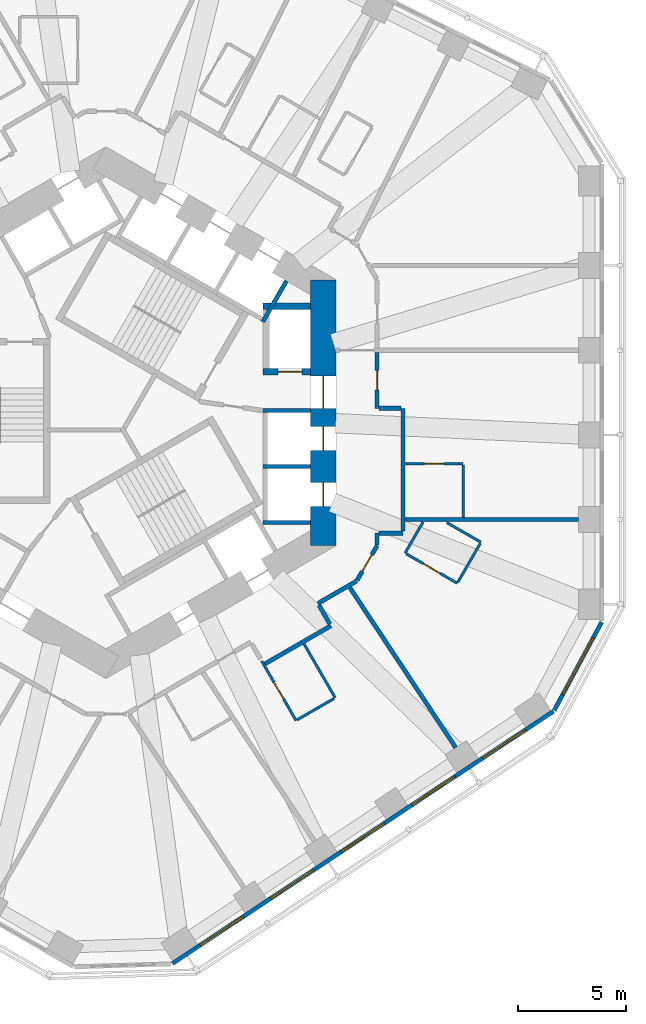
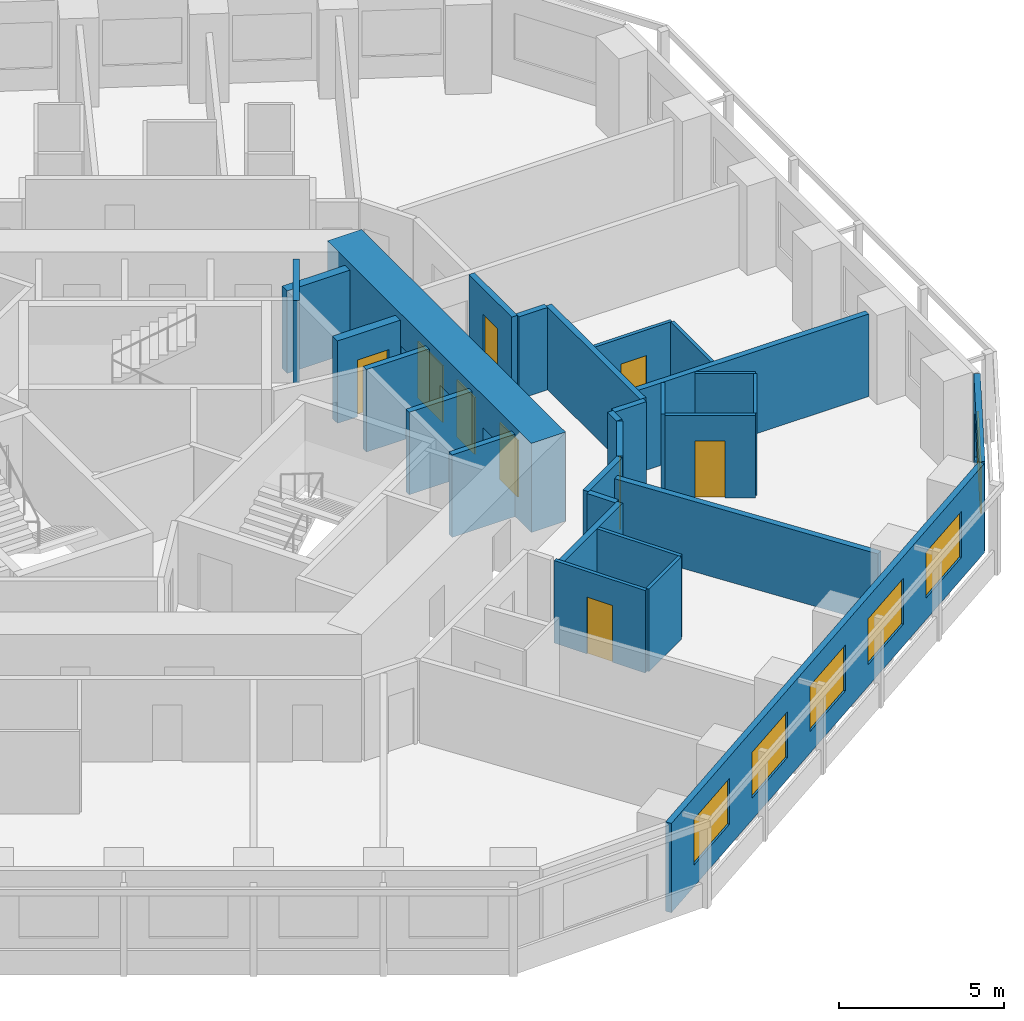
# One storey, part 6 of 12: 29 walls, 9 doors, 6 windows, 15 openings.
"""IFC4 building model written with IfcOpenShell, lengths in metres."""

from ifc_helpers import new_model, si_unit, direction, frame, frame_2d, origin, place, context, subcontext, project, spatial, rectangle, extrude, material, layer, layer_set, type_object, element, fill, save


model = new_model("IFC4")

# Units and contexts
model_context = context("Model", 3, precision=1e-05, world=origin(), true_north=direction((0.0, 1.0)))
body_context = subcontext(model_context, "Body", "Model", "MODEL_VIEW")
ifc_project = project(units=[si_unit("LENGTHUNIT", "METRE"), si_unit("AREAUNIT", "SQUARE_METRE"), si_unit("VOLUMEUNIT", "CUBIC_METRE"), si_unit("PLANEANGLEUNIT", "RADIAN"), si_unit("MASSUNIT", "GRAM", prefix="KILO")], contexts=[model_context])

# Site, building, storey
site_placement = place(None, origin())
site = spatial("IfcSite", under=ifc_project, at=site_placement, CompositionType="ELEMENT")
building_placement = place(site_placement, origin())
building = spatial("IfcBuilding", under=site, at=building_placement, Name="Vanh Sen Convention Tower", CompositionType="ELEMENT")
storey_placement = place(building_placement, frame((0.0, 0.0, 70.39990234375)))
storey = spatial("IfcBuildingStorey", under=building, at=storey_placement, Name="L15", CompositionType="ELEMENT", Elevation=70.39990234375)

# Wall, opening, door
ifc_material_1 = material(Name="Moisture-resistant gypsum board on steel studs", Category="steel")
ifc_layer_1 = layer(ifc_material_1, 0.1201171875)
ifc_layer_set_1 = layer_set([ifc_layer_1], Name="Moisture-resistant gypsum board on steel studs")
wall_type_1 = type_object("IfcWallType", Name="Bathroom partition 120", PredefinedType="PARTITIONING", material=ifc_layer_set_1)
wall_1_placement = place(storey_placement, frame((8.83251953125, -14.300537109375, 0.0), z_axis=(0.0, 0.0, 1.0), x_axis=(-0.499936836718, 0.866061868051, 0.0)))
wall_1 = element("IfcWall", 1, at=wall_1_placement, inside=storey, type_object=wall_type_1, Name="Bathroom partition 120", PredefinedType="PARTITIONING", context=body_context, shape_type="SweptSolid", body=[
    extrude(rectangle(XDim=3.1875, YDim=0.1201171875, at=frame_2d((1.59375, 0.0))), origin(), (0.0, 0.0, 1.0), 3.050048828125),
])
opening_1_placement = place(wall_1_placement, frame((1.143798828125, 0.0, 0.0)))
opening_1 = element("IfcOpeningElement", 2, at=opening_1_placement, cuts=wall_1, Name="Opening D13131", PredefinedType="OPENING", context=body_context, shape_type="SweptSolid", body=[
    extrude(rectangle(XDim=0.89990234375, YDim=2.10009765625, at=frame_2d((0.449951171875, 1.050048828125))), frame((0.0, 0.070068359375, 0.0), z_axis=(0.0, -1.0, 0.0), x_axis=(1.0, 0.0, 0.0)), (0.0, 0.0, 1.0), 0.14013671875),
])
ifc_material_2 = material(Name="Laminate door in steel frame", Category="steel")
door_type_1 = type_object("IfcDoorType", Name="En-suite door 900", OperationType="SINGLE_SWING_LEFT", PredefinedType="DOOR", material=ifc_material_2)
door_1_placement = place(opening_1_placement, origin())
door_1 = element("IfcDoor", 3, at=door_1_placement, inside=storey, type_object=door_type_1, Name="En-suite door D13131", OperationType="SINGLE_SWING_LEFT", OverallHeight=2.10009765625, OverallWidth=0.89990234375, PredefinedType="DOOR", context=body_context, shape_type="SweptSolid", body=[
    extrude(rectangle(XDim=0.89990234375, YDim=2.10009765625, at=frame_2d((0.449951171875, 1.050048828125))), frame((0.0, 0.02490234375, 0.0), z_axis=(0.0, -1.0, 0.0), x_axis=(1.0, 0.0, 0.0)), (0.0, 0.0, 1.0), 0.050048828125),
])
fill(opening_1, door_1)

# Walls
wall_2_placement = place(storey_placement, frame((9.202880859375, -10.738037109375, 0.0), z_axis=(0.0, 0.0, 1.0), x_axis=(0.50005036918, -0.865996321171, 0.0)))
element("IfcWall", 4, at=wall_2_placement, inside=storey, type_object=wall_type_1, Name="Bathroom partition 120", PredefinedType="PARTITIONING", context=body_context, shape_type="SweptSolid", body=[
    extrude(rectangle(XDim=2.900146484375, YDim=0.1201171875, at=frame_2d((1.4501953125, 0.0))), origin(), (0.0, 0.0, 1.0), 3.050048828125),
])
wall_3_placement = place(storey_placement, frame((10.60107421875, -13.279541015625, 0.0), z_axis=(0.0, 0.0, 1.0), x_axis=(-0.866044057189, -0.499967689963, 0.0)))
element("IfcWall", 5, at=wall_3_placement, inside=storey, type_object=wall_type_1, Name="Bathroom partition 120", PredefinedType="PARTITIONING", context=body_context, shape_type="SweptSolid", body=[
    extrude(rectangle(XDim=1.982177734375, YDim=0.1201171875, at=frame_2d((0.9912109375, 0.0))), origin(), (0.0, 0.0, 1.0), 3.050048828125),
])
wall_4_placement = place(storey_placement, frame((13.90087890625, -6.5244140625, 0.0), z_axis=(0.0, 0.0, 1.0), x_axis=(0.499964162598, 0.86604609353, 0.0)))
element("IfcWall", 6, at=wall_4_placement, inside=storey, type_object=wall_type_1, Name="Bathroom partition 120", PredefinedType="PARTITIONING", context=body_context, shape_type="SweptSolid", body=[
    extrude(rectangle(XDim=1.6611328125, YDim=0.1201171875, at=frame_2d((0.83056640625, 0.0))), origin(), (0.0, 0.0, 1.0), 3.050048828125),
])

# Wall, opening, door
wall_5_placement = place(storey_placement, frame((13.90087890625, -2.364501953125, 0.0), z_axis=(0.0, 0.0, 1.0), x_axis=(1.0, 0.0, 0.0)))
wall_5 = element("IfcWall", 7, at=wall_5_placement, inside=storey, type_object=wall_type_1, Name="Bathroom partition 120", PredefinedType="PARTITIONING", context=body_context, shape_type="SweptSolid", body=[
    extrude(rectangle(XDim=2.7001953125, YDim=0.1201171875, at=frame_2d((1.35009765625, 0.0))), origin(), (0.0, 0.0, 1.0), 3.050048828125),
])
opening_2_placement = place(wall_5_placement, frame((0.89990234375, 0.0, 0.0)))
opening_2 = element("IfcOpeningElement", 8, at=opening_2_placement, cuts=wall_5, Name="Opening D13102", PredefinedType="OPENING", context=body_context, shape_type="SweptSolid", body=[
    extrude(rectangle(XDim=0.89990234375, YDim=2.10009765625, at=frame_2d((0.449951171875, 1.050048828125))), frame((0.0, 0.070068359375, 0.0), z_axis=(0.0, -1.0, 0.0), x_axis=(1.0, 0.0, 0.0)), (0.0, 0.0, 1.0), 0.14013671875),
])
door_2_placement = place(opening_2_placement, origin())
door_2 = element("IfcDoor", 9, at=door_2_placement, inside=storey, type_object=door_type_1, Name="En-suite door D13102", OperationType="SINGLE_SWING_LEFT", OverallHeight=2.10009765625, OverallWidth=0.89990234375, PredefinedType="DOOR", context=body_context, shape_type="SweptSolid", body=[
    extrude(rectangle(XDim=0.89990234375, YDim=2.10009765625, at=frame_2d((0.449951171875, 1.050048828125))), frame((0.0, 0.02490234375, 0.0), z_axis=(0.0, -1.0, 0.0), x_axis=(1.0, 0.0, 0.0)), (0.0, 0.0, 1.0), 0.050048828125),
])
fill(opening_2, door_2)

# Wall
wall_6_placement = place(storey_placement, frame((15.84130859375, -5.1044921875, 0.0), z_axis=(0.0, 0.0, 1.0), x_axis=(0.866025591402, -0.499999675036, 0.0)))
element("IfcWall", 10, at=wall_6_placement, inside=storey, type_object=wall_type_1, Name="Bathroom partition 120", PredefinedType="PARTITIONING", context=body_context, shape_type="SweptSolid", body=[
    extrude(rectangle(XDim=1.82958984375, YDim=0.1201171875, at=frame_2d((0.914794921875, 0.0))), origin(), (0.0, 0.0, 1.0), 3.050048828125),
])

# Wall, opening, door
wall_7_placement = place(storey_placement, frame((16.32568359375, -7.924560546875, 0.0), z_axis=(0.0, 0.0, 1.0), x_axis=(-0.865997131366, 0.500048966069, 0.0)))
wall_7 = element("IfcWall", 11, at=wall_7_placement, inside=storey, type_object=wall_type_1, Name="Bathroom partition 120", PredefinedType="PARTITIONING", context=body_context, shape_type="SweptSolid", body=[
    extrude(rectangle(XDim=2.739990234375, YDim=0.1201171875, at=frame_2d((1.3701171875, 0.0))), origin(), (0.0, 0.0, 1.0), 3.050048828125),
])
opening_3_placement = place(wall_7_placement, frame((0.919921875, 0.0, 0.0)))
opening_3 = element("IfcOpeningElement", 12, at=opening_3_placement, cuts=wall_7, Name="Opening D13133", PredefinedType="OPENING", context=body_context, shape_type="SweptSolid", body=[
    extrude(rectangle(XDim=0.89990234375, YDim=2.10009765625, at=frame_2d((0.449951171875, 1.050048828125))), frame((0.0, 0.070068359375, 0.0), z_axis=(0.0, -1.0, 0.0), x_axis=(1.0, 0.0, 0.0)), (0.0, 0.0, 1.0), 0.14013671875),
])
door_3_placement = place(opening_3_placement, origin())
door_3 = element("IfcDoor", 13, at=door_3_placement, inside=storey, type_object=door_type_1, Name="En-suite door D13133", OperationType="SINGLE_SWING_LEFT", OverallHeight=2.10009765625, OverallWidth=0.89990234375, PredefinedType="DOOR", context=body_context, shape_type="SweptSolid", body=[
    extrude(rectangle(XDim=0.89990234375, YDim=2.10009765625, at=frame_2d((0.449951171875, 1.050048828125))), frame((0.0, 0.02490234375, 0.0), z_axis=(0.0, -1.0, 0.0), x_axis=(1.0, 0.0, 0.0)), (0.0, 0.0, 1.0), 0.050048828125),
])
fill(opening_3, door_3)

# Walls
wall_8_placement = place(storey_placement, frame((16.60107421875, -2.424560546875, 0.0), z_axis=(0.0, 0.0, 1.0), x_axis=(0.0, -1.0, 0.0)))
element("IfcWall", 14, at=wall_8_placement, inside=storey, type_object=wall_type_1, Name="Bathroom partition 120", PredefinedType="PARTITIONING", context=body_context, shape_type="SweptSolid", body=[
    extrude(rectangle(XDim=2.43994140625, YDim=0.1201171875, at=frame_2d((1.219970703125, 0.0))), origin(), (0.0, 0.0, 1.0), 3.050048828125),
])
wall_9_placement = place(storey_placement, frame((17.395751953125, -6.0712890625, 0.0), z_axis=(0.0, 0.0, 1.0), x_axis=(-0.500027264788, -0.866009661879, 0.0)))
element("IfcWall", 15, at=wall_9_placement, inside=storey, type_object=wall_type_1, Name="Bathroom partition 120", PredefinedType="PARTITIONING", context=body_context, shape_type="SweptSolid", body=[
    extrude(rectangle(XDim=2.080078125, YDim=0.1201171875, at=frame_2d((1.0400390625, 0.0))), origin(), (0.0, 0.0, 1.0), 3.050048828125),
])

# Wall, openings, doors
ifc_material_3 = material(Name="Concrete C80/95", Category="concrete")
ifc_layer_2 = layer(ifc_material_3, 1.199951171875)
ifc_layer_set_2 = layer_set([ifc_layer_2], Name="Concrete C80/95")
wall_type_2 = type_object("IfcWallType", Name="Core outer wall 1200 C80/95", PredefinedType="SHEAR", material=ifc_layer_set_2)
wall_10_placement = place(storey_placement, frame((10.10009765625, -6.177490234375, 0.0), z_axis=(0.0, 0.0, 1.0), x_axis=(0.0, 1.0, 0.0)))
wall_10 = element("IfcWall", 16, at=wall_10_placement, inside=storey, type_object=wall_type_2, Name="Core wall face E L15", PredefinedType="SHEAR", context=body_context, shape_type="SweptSolid", body=[
    extrude(rectangle(XDim=12.35498046875, YDim=1.199951171875, at=frame_2d((6.177490234375, 0.0))), origin(), (0.0, 0.0, 1.0), 3.300048828125),
])
opening_4_placement = place(wall_10_placement, frame((6.377685546875, 0.0, 0.0)))
opening_4 = element("IfcOpeningElement", 17, at=opening_4_placement, cuts=wall_10, Name="Opening D13001", PredefinedType="OPENING", context=body_context, shape_type="SweptSolid", body=[
    extrude(rectangle(XDim=1.5, YDim=2.10009765625, at=frame_2d((0.75, 1.050048828125))), frame((0.0, 0.60986328125, 0.0), z_axis=(0.0, -1.0, 0.0), x_axis=(1.0, 0.0, 0.0)), (0.0, 0.0, 1.0), 1.219970703125),
])
opening_5_placement = place(wall_10_placement, frame((1.82763671875, 0.0, 0.0)))
opening_5 = element("IfcOpeningElement", 18, at=opening_5_placement, cuts=wall_10, Name="Opening LD-LR1", PredefinedType="OPENING", context=body_context, shape_type="SweptSolid", body=[
    extrude(rectangle(XDim=1.10009765625, YDim=2.10009765625, at=frame_2d((0.550048828125, 1.050048828125))), frame((0.0, 0.60986328125, 0.0), z_axis=(0.0, -1.0, 0.0), x_axis=(1.0, 0.0, 0.0)), (0.0, 0.0, 1.0), 1.219970703125),
])
opening_6_placement = place(wall_10_placement, frame((4.427490234375, 0.0, 0.0)))
opening_6 = element("IfcOpeningElement", 19, at=opening_6_placement, cuts=wall_10, Name="Opening LD-LR2", PredefinedType="OPENING", context=body_context, shape_type="SweptSolid", body=[
    extrude(rectangle(XDim=1.10009765625, YDim=2.10009765625, at=frame_2d((0.550048828125, 1.050048828125))), frame((0.0, 0.60986328125, 0.0), z_axis=(0.0, -1.0, 0.0), x_axis=(1.0, 0.0, 0.0)), (0.0, 0.0, 1.0), 1.219970703125),
])
ifc_material_4 = material(Name="Stainless steel", Category="steel")
door_type_2 = type_object("IfcDoorType", Name="Lift landing door 1100", OperationType="DOUBLE_DOOR_SLIDING", PredefinedType="DOOR", material=ifc_material_4)
door_4_placement = place(opening_5_placement, origin())
door_4 = element("IfcDoor", 20, at=door_4_placement, inside=storey, type_object=door_type_2, Name="Lift LR1 landing door LD-LR1", OperationType="DOUBLE_DOOR_SLIDING", OverallHeight=2.10009765625, OverallWidth=1.10009765625, PredefinedType="DOOR", context=body_context, shape_type="SweptSolid", body=[
    extrude(rectangle(XDim=1.10009765625, YDim=2.10009765625, at=frame_2d((0.550048828125, 1.050048828125))), frame((0.0, 0.02490234375, 0.0), z_axis=(0.0, -1.0, 0.0), x_axis=(1.0, 0.0, 0.0)), (0.0, 0.0, 1.0), 0.050048828125),
])
fill(opening_5, door_4)
door_5_placement = place(opening_6_placement, origin())
door_5 = element("IfcDoor", 21, at=door_5_placement, inside=storey, type_object=door_type_2, Name="Lift LR2 landing door LD-LR2", OperationType="DOUBLE_DOOR_SLIDING", OverallHeight=2.10009765625, OverallWidth=1.10009765625, PredefinedType="DOOR", context=body_context, shape_type="SweptSolid", body=[
    extrude(rectangle(XDim=1.10009765625, YDim=2.10009765625, at=frame_2d((0.550048828125, 1.050048828125))), frame((0.0, 0.02490234375, 0.0), z_axis=(0.0, -1.0, 0.0), x_axis=(1.0, 0.0, 0.0)), (0.0, 0.0, 1.0), 0.050048828125),
])
fill(opening_6, door_5)
ifc_material_5 = material(Name="Steel S355", Category="steel")
door_type_3 = type_object("IfcDoorType", Name="Stair lobby door 1500", OperationType="DOUBLE_DOOR_SINGLE_SWING", PredefinedType="DOOR", material=ifc_material_5)
door_6_placement = place(opening_4_placement, origin())
door_6 = element("IfcDoor", 22, at=door_6_placement, inside=storey, type_object=door_type_3, Name="Stair lobby door D13001", OperationType="DOUBLE_DOOR_SINGLE_SWING", OverallHeight=2.10009765625, OverallWidth=1.5, PredefinedType="DOOR", context=body_context, shape_type="SweptSolid", body=[
    extrude(rectangle(XDim=1.5, YDim=2.10009765625, at=frame_2d((0.75, 1.050048828125))), frame((0.0, 0.02490234375, 0.0), z_axis=(0.0, -1.0, 0.0), x_axis=(1.0, 0.0, 0.0)), (0.0, 0.0, 1.0), 0.050048828125),
])
fill(opening_4, door_6)

# Walls
ifc_material_6 = material(Name="Gypsum board on steel studs with mineral wool", Category="steel")
ifc_layer_3 = layer(ifc_material_6, 0.199951171875)
ifc_layer_set_3 = layer_set([ifc_layer_3], Name="Gypsum board on steel studs with mineral wool")
wall_type_3 = type_object("IfcWallType", Name="Corridor partition wall 200", PredefinedType="PARTITIONING", material=ifc_layer_set_3)
wall_11_placement = place(storey_placement, frame((7.384521484375, -11.672607421875, 0.0), z_axis=(0.0, 0.0, 1.0), x_axis=(0.866037524642, 0.499979005472, 0.0)))
element("IfcWall", 23, at=wall_11_placement, inside=storey, type_object=wall_type_3, Name="Corridor partition wall 200", PredefinedType="PARTITIONING", context=body_context, shape_type="SweptSolid", body=[
    extrude(rectangle(XDim=3.542236328125, YDim=0.199951171875, at=frame_2d((1.77099609375, 0.0))), origin(), (0.0, 0.0, 1.0), 3.050048828125),
])
wall_12_placement = place(storey_placement, frame((9.8515625, -8.861328125, 0.0), z_axis=(0.0, 0.0, 1.0), x_axis=(0.866013291437, 0.500020978615, 0.0)))
element("IfcWall", 24, at=wall_12_placement, inside=storey, type_object=wall_type_3, Name="Corridor partition wall 200", PredefinedType="PARTITIONING", context=body_context, shape_type="SweptSolid", body=[
    extrude(rectangle(XDim=2.07666015625, YDim=0.199951171875, at=frame_2d((1.038330078125, 0.0))), origin(), (0.0, 0.0, 1.0), 3.050048828125),
])
wall_13_placement = place(storey_placement, frame((10.402099609375, -9.81494140625, 0.0), z_axis=(0.0, 0.0, 1.0), x_axis=(-0.499968756647, 0.866043441391, 0.0)))
element("IfcWall", 25, at=wall_13_placement, inside=storey, type_object=wall_type_3, Name="Corridor partition wall 200", PredefinedType="PARTITIONING", context=body_context, shape_type="SweptSolid", body=[
    extrude(rectangle(XDim=1.0009765625, YDim=0.199951171875, at=frame_2d((0.50048828125, 0.0))), origin(), (0.0, 0.0, 1.0), 3.050048828125),
])

# Wall, opening, door
wall_14_placement = place(storey_placement, frame((11.669921875, -7.788330078125, 0.0), z_axis=(0.0, 0.0, 1.0), x_axis=(0.500063286585, 0.865988862174, 0.0)))
wall_14 = element("IfcWall", 26, at=wall_14_placement, inside=storey, type_object=wall_type_3, Name="Corridor partition wall 200", PredefinedType="PARTITIONING", context=body_context, shape_type="SweptSolid", body=[
    extrude(rectangle(XDim=1.860107421875, YDim=0.199951171875, at=frame_2d((0.93017578125, 0.0))), origin(), (0.0, 0.0, 1.0), 3.050048828125),
])
opening_7_placement = place(wall_14_placement, frame((0.47998046875, 0.0, 0.0)))
opening_7 = element("IfcOpeningElement", 27, at=opening_7_placement, cuts=wall_14, Name="Opening D13132", PredefinedType="OPENING", context=body_context, shape_type="SweptSolid", body=[
    extrude(rectangle(XDim=0.89990234375, YDim=2.10009765625, at=frame_2d((0.449951171875, 1.050048828125))), frame((0.0, 0.10986328125, 0.0), z_axis=(0.0, -1.0, 0.0), x_axis=(1.0, 0.0, 0.0)), (0.0, 0.0, 1.0), 0.219970703125),
])
ifc_material_7 = material(Name="Timber fire door in steel frame", Category="steel")
door_type_4 = type_object("IfcDoorType", Name="Guest room door 900", OperationType="SINGLE_SWING_LEFT", PredefinedType="DOOR", material=ifc_material_7)
door_7_placement = place(opening_7_placement, origin())
door_7 = element("IfcDoor", 28, at=door_7_placement, inside=storey, type_object=door_type_4, Name="Hotel guest room door D13132", OperationType="SINGLE_SWING_LEFT", OverallHeight=2.10009765625, OverallWidth=0.89990234375, PredefinedType="DOOR", context=body_context, shape_type="SweptSolid", body=[
    extrude(rectangle(XDim=0.89990234375, YDim=2.10009765625, at=frame_2d((0.449951171875, 1.050048828125))), frame((0.0, 0.02490234375, 0.0), z_axis=(0.0, -1.0, 0.0), x_axis=(1.0, 0.0, 0.0)), (0.0, 0.0, 1.0), 0.050048828125),
])
fill(opening_7, door_7)

# Wall
wall_15_placement = place(storey_placement, frame((12.60009765625, -6.1376953125, 0.0), z_axis=(0.0, 0.0, 1.0), x_axis=(0.0, 1.0, 0.0)))
element("IfcWall", 29, at=wall_15_placement, inside=storey, type_object=wall_type_3, Name="Corridor partition wall 200", PredefinedType="PARTITIONING", context=body_context, shape_type="SweptSolid", body=[
    extrude(rectangle(XDim=0.53662109375, YDim=0.199951171875, at=frame_2d((0.268310546875, 0.0))), origin(), (0.0, 0.0, 1.0), 3.050048828125),
])

# Wall, opening, door
wall_16_placement = place(storey_placement, frame((12.60009765625, 0.200927734375, 0.0), z_axis=(0.0, 0.0, 1.0), x_axis=(0.0, 1.0, 0.0)))
wall_16 = element("IfcWall", 30, at=wall_16_placement, inside=storey, type_object=wall_type_3, Name="Corridor partition wall 200", PredefinedType="PARTITIONING", context=body_context, shape_type="SweptSolid", body=[
    extrude(rectangle(XDim=2.603515625, YDim=0.199951171875, at=frame_2d((1.3017578125, 0.0))), origin(), (0.0, 0.0, 1.0), 3.050048828125),
])
opening_8_placement = place(wall_16_placement, frame((0.851806640625, 0.0, 0.0)))
opening_8 = element("IfcOpeningElement", 31, at=opening_8_placement, cuts=wall_16, Name="Opening D13101", PredefinedType="OPENING", context=body_context, shape_type="SweptSolid", body=[
    extrude(rectangle(XDim=0.89990234375, YDim=2.10009765625, at=frame_2d((0.449951171875, 1.050048828125))), frame((0.0, 0.10986328125, 0.0), z_axis=(0.0, -1.0, 0.0), x_axis=(1.0, 0.0, 0.0)), (0.0, 0.0, 1.0), 0.219970703125),
])
door_8_placement = place(opening_8_placement, origin())
door_8 = element("IfcDoor", 32, at=door_8_placement, inside=storey, type_object=door_type_4, Name="Hotel guest room door D13101", OperationType="SINGLE_SWING_LEFT", OverallHeight=2.10009765625, OverallWidth=0.89990234375, PredefinedType="DOOR", context=body_context, shape_type="SweptSolid", body=[
    extrude(rectangle(XDim=0.89990234375, YDim=2.10009765625, at=frame_2d((0.449951171875, 1.050048828125))), frame((0.0, 0.02490234375, 0.0), z_axis=(0.0, -1.0, 0.0), x_axis=(1.0, 0.0, 0.0)), (0.0, 0.0, 1.0), 0.050048828125),
])
fill(opening_8, door_8)

# Walls
wall_17_placement = place(storey_placement, frame((12.699951171875, -5.60107421875, 0.0), z_axis=(0.0, 0.0, 1.0), x_axis=(1.0, 0.0, 0.0)))
element("IfcWall", 33, at=wall_17_placement, inside=storey, type_object=wall_type_3, Name="Corridor partition wall 200", PredefinedType="PARTITIONING", context=body_context, shape_type="SweptSolid", body=[
    extrude(rectangle(XDim=1.10107421875, YDim=0.199951171875, at=frame_2d((0.550537109375, 0.0))), origin(), (0.0, 0.0, 1.0), 3.050048828125),
])
wall_18_placement = place(storey_placement, frame((13.700927734375, 0.200927734375, 0.0), z_axis=(0.0, 0.0, 1.0), x_axis=(-1.0, 0.0, 0.0)))
element("IfcWall", 34, at=wall_18_placement, inside=storey, type_object=wall_type_3, Name="Corridor partition wall 200", PredefinedType="PARTITIONING", context=body_context, shape_type="SweptSolid", body=[
    extrude(rectangle(XDim=1.0009765625, YDim=0.199951171875, at=frame_2d((0.50048828125, 0.0))), origin(), (0.0, 0.0, 1.0), 3.050048828125),
])
wall_19_placement = place(storey_placement, frame((13.801025390625, -5.5009765625, 0.0), z_axis=(0.0, 0.0, 1.0), x_axis=(0.0, 1.0, 0.0)))
element("IfcWall", 35, at=wall_19_placement, inside=storey, type_object=wall_type_3, Name="Corridor partition wall 200", PredefinedType="PARTITIONING", context=body_context, shape_type="SweptSolid", body=[
    extrude(rectangle(XDim=5.701904296875, YDim=0.199951171875, at=frame_2d((2.85107421875, 0.0))), origin(), (0.0, 0.0, 1.0), 3.050048828125),
])

# Wall, openings, windows
ifc_material_8 = material(Name="Insulated lightweight infill wall")
ifc_layer_4 = layer(ifc_material_8, 0.199951171875)
ifc_layer_set_4 = layer_set([ifc_layer_4], Name="Insulated lightweight infill wall")
wall_type_4 = type_object("IfcWallType", Name="External wall 200", PredefinedType="STANDARD", material=ifc_layer_set_4)
wall_20_placement = place(storey_placement, frame((3.0830078125, -25.60107421875, 0.0), z_axis=(0.0, 0.0, 1.0), x_axis=(0.833884295743, 0.551939291329, 0.0)))
wall_20 = element("IfcWall", 36, at=wall_20_placement, inside=storey, type_object=wall_type_4, Name="External wall SE L15", PredefinedType="STANDARD", context=body_context, shape_type="SweptSolid", body=[
    extrude(rectangle(XDim=21.24609375, YDim=0.199951171875, at=frame_2d((10.623046875, 0.0))), origin(), (0.0, 0.0, 1.0), 3.300048828125),
])
opening_9_placement = place(wall_20_placement, frame((1.552978515625, 0.0, 0.800048828125)))
opening_9 = element("IfcOpeningElement", 37, at=opening_9_placement, cuts=wall_20, Name="Opening WH1-SE1", PredefinedType="OPENING", context=body_context, shape_type="SweptSolid", body=[
    extrude(rectangle(XDim=2.39990234375, YDim=1.699951171875, at=frame_2d((1.199951171875, 0.85009765625))), frame((0.0, 0.10986328125, 0.0), z_axis=(0.0, -1.0, 0.0), x_axis=(1.0, 0.0, 0.0)), (0.0, 0.0, 1.0), 0.219970703125),
])
opening_10_placement = place(wall_20_placement, frame((5.487548828125, 0.0, 0.800048828125)))
opening_10 = element("IfcOpeningElement", 38, at=opening_10_placement, cuts=wall_20, Name="Opening WH1-SE2", PredefinedType="OPENING", context=body_context, shape_type="SweptSolid", body=[
    extrude(rectangle(XDim=2.39990234375, YDim=1.699951171875, at=frame_2d((1.199951171875, 0.85009765625))), frame((0.0, 0.10986328125, 0.0), z_axis=(0.0, -1.0, 0.0), x_axis=(1.0, 0.0, 0.0)), (0.0, 0.0, 1.0), 0.219970703125),
])
opening_11_placement = place(wall_20_placement, frame((9.422119140625, 0.0, 0.800048828125)))
opening_11 = element("IfcOpeningElement", 39, at=opening_11_placement, cuts=wall_20, Name="Opening WH1-SE3", PredefinedType="OPENING", context=body_context, shape_type="SweptSolid", body=[
    extrude(rectangle(XDim=2.39990234375, YDim=1.699951171875, at=frame_2d((1.199951171875, 0.85009765625))), frame((0.0, 0.10986328125, 0.0), z_axis=(0.0, -1.0, 0.0), x_axis=(1.0, 0.0, 0.0)), (0.0, 0.0, 1.0), 0.219970703125),
])
opening_12_placement = place(wall_20_placement, frame((13.356689453125, 0.0, 0.800048828125)))
opening_12 = element("IfcOpeningElement", 40, at=opening_12_placement, cuts=wall_20, Name="Opening WH1-SE4", PredefinedType="OPENING", context=body_context, shape_type="SweptSolid", body=[
    extrude(rectangle(XDim=2.39990234375, YDim=1.699951171875, at=frame_2d((1.199951171875, 0.85009765625))), frame((0.0, 0.10986328125, 0.0), z_axis=(0.0, -1.0, 0.0), x_axis=(1.0, 0.0, 0.0)), (0.0, 0.0, 1.0), 0.219970703125),
])
opening_13_placement = place(wall_20_placement, frame((17.291259765625, 0.0, 0.800048828125)))
opening_13 = element("IfcOpeningElement", 41, at=opening_13_placement, cuts=wall_20, Name="Opening WH1-SE5", PredefinedType="OPENING", context=body_context, shape_type="SweptSolid", body=[
    extrude(rectangle(XDim=2.39990234375, YDim=1.699951171875, at=frame_2d((1.199951171875, 0.85009765625))), frame((0.0, 0.10986328125, 0.0), z_axis=(0.0, -1.0, 0.0), x_axis=(1.0, 0.0, 0.0)), (0.0, 0.0, 1.0), 0.219970703125),
])
ifc_material_9 = material(Name="Aluminium frame with clear low-emissivity glass", Category="aluminium")
window_type_1 = type_object("IfcWindowType", Name="Hotel window 2400 x 1700", PartitioningType="SINGLE_PANEL", PredefinedType="WINDOW", material=ifc_material_9)
window_1_placement = place(opening_9_placement, origin())
window_1 = element("IfcWindow", 42, at=window_1_placement, inside=storey, type_object=window_type_1, Name="Window WH1-SE1", OverallHeight=1.699951171875, OverallWidth=2.39990234375, PartitioningType="SINGLE_PANEL", PredefinedType="WINDOW", context=body_context, shape_type="SweptSolid", body=[
    extrude(rectangle(XDim=2.39990234375, YDim=1.699951171875, at=frame_2d((1.199951171875, 0.85009765625))), frame((0.0, 0.030029296875, 0.0), z_axis=(0.0, -1.0, 0.0), x_axis=(1.0, 0.0, 0.0)), (0.0, 0.0, 1.0), 0.06005859375),
])
fill(opening_9, window_1)
window_2_placement = place(opening_10_placement, origin())
window_2 = element("IfcWindow", 43, at=window_2_placement, inside=storey, type_object=window_type_1, Name="Window WH1-SE2", OverallHeight=1.699951171875, OverallWidth=2.39990234375, PartitioningType="SINGLE_PANEL", PredefinedType="WINDOW", context=body_context, shape_type="SweptSolid", body=[
    extrude(rectangle(XDim=2.39990234375, YDim=1.699951171875, at=frame_2d((1.199951171875, 0.85009765625))), frame((0.0, 0.030029296875, 0.0), z_axis=(0.0, -1.0, 0.0), x_axis=(1.0, 0.0, 0.0)), (0.0, 0.0, 1.0), 0.06005859375),
])
fill(opening_10, window_2)
window_3_placement = place(opening_11_placement, origin())
window_3 = element("IfcWindow", 44, at=window_3_placement, inside=storey, type_object=window_type_1, Name="Window WH1-SE3", OverallHeight=1.699951171875, OverallWidth=2.39990234375, PartitioningType="SINGLE_PANEL", PredefinedType="WINDOW", context=body_context, shape_type="SweptSolid", body=[
    extrude(rectangle(XDim=2.39990234375, YDim=1.699951171875, at=frame_2d((1.199951171875, 0.85009765625))), frame((0.0, 0.030029296875, 0.0), z_axis=(0.0, -1.0, 0.0), x_axis=(1.0, 0.0, 0.0)), (0.0, 0.0, 1.0), 0.06005859375),
])
fill(opening_11, window_3)
window_4_placement = place(opening_12_placement, origin())
window_4 = element("IfcWindow", 45, at=window_4_placement, inside=storey, type_object=window_type_1, Name="Window WH1-SE4", OverallHeight=1.699951171875, OverallWidth=2.39990234375, PartitioningType="SINGLE_PANEL", PredefinedType="WINDOW", context=body_context, shape_type="SweptSolid", body=[
    extrude(rectangle(XDim=2.39990234375, YDim=1.699951171875, at=frame_2d((1.199951171875, 0.85009765625))), frame((0.0, 0.030029296875, 0.0), z_axis=(0.0, -1.0, 0.0), x_axis=(1.0, 0.0, 0.0)), (0.0, 0.0, 1.0), 0.06005859375),
])
fill(opening_12, window_4)
window_5_placement = place(opening_13_placement, origin())
window_5 = element("IfcWindow", 46, at=window_5_placement, inside=storey, type_object=window_type_1, Name="Window WH1-SE5", OverallHeight=1.699951171875, OverallWidth=2.39990234375, PartitioningType="SINGLE_PANEL", PredefinedType="WINDOW", context=body_context, shape_type="SweptSolid", body=[
    extrude(rectangle(XDim=2.39990234375, YDim=1.699951171875, at=frame_2d((1.199951171875, 0.85009765625))), frame((0.0, 0.030029296875, 0.0), z_axis=(0.0, -1.0, 0.0), x_axis=(1.0, 0.0, 0.0)), (0.0, 0.0, 1.0), 0.06005859375),
])
fill(opening_13, window_5)

# Wall, opening, window
wall_21_placement = place(storey_placement, frame((20.83251953125, -13.838623046875, 0.0), z_axis=(0.0, 0.0, 1.0), x_axis=(0.473321668581, 0.880889662813, 0.0)))
wall_21 = element("IfcWall", 47, at=wall_21_placement, inside=storey, type_object=wall_type_4, Name="External wall CH6 L15", PredefinedType="STANDARD", context=body_context, shape_type="SweptSolid", body=[
    extrude(rectangle(XDim=4.65966796875, YDim=0.199951171875, at=frame_2d((2.329833984375, 0.0))), origin(), (0.0, 0.0, 1.0), 3.300048828125),
])
opening_14_placement = place(wall_21_placement, frame((0.829833984375, 0.0, 0.800048828125)))
opening_14 = element("IfcOpeningElement", 48, at=opening_14_placement, cuts=wall_21, Name="Opening WH2-CH61", PredefinedType="OPENING", context=body_context, shape_type="SweptSolid", body=[
    extrude(rectangle(XDim=3.0, YDim=1.699951171875, at=frame_2d((1.5, 0.85009765625))), frame((0.0, 0.10986328125, 0.0), z_axis=(0.0, -1.0, 0.0), x_axis=(1.0, 0.0, 0.0)), (0.0, 0.0, 1.0), 0.219970703125),
])
window_type_2 = type_object("IfcWindowType", Name="Hotel window 3000 x 1700", PartitioningType="SINGLE_PANEL", PredefinedType="WINDOW", material=ifc_material_9)
window_6_placement = place(opening_14_placement, origin())
window_6 = element("IfcWindow", 49, at=window_6_placement, inside=storey, type_object=window_type_2, Name="Window WH2-CH61", OverallHeight=1.699951171875, OverallWidth=3.0, PartitioningType="SINGLE_PANEL", PredefinedType="WINDOW", context=body_context, shape_type="SweptSolid", body=[
    extrude(rectangle(XDim=3.0, YDim=1.699951171875, at=frame_2d((1.5, 0.85009765625))), frame((0.0, 0.030029296875, 0.0), z_axis=(0.0, -1.0, 0.0), x_axis=(1.0, 0.0, 0.0)), (0.0, 0.0, 1.0), 0.06005859375),
])
fill(opening_14, window_6)

# Wall, opening, door
ifc_material_10 = material(Name="Concrete C60/75", Category="concrete")
ifc_layer_5 = layer(ifc_material_10, 0.300048828125)
ifc_layer_set_5 = layer_set([ifc_layer_5], Name="Concrete C60/75")
wall_type_5 = type_object("IfcWallType", Name="Fire-fighting lift shaft wall 300", PredefinedType="SHEAR", material=ifc_layer_set_5)
wall_22_placement = place(storey_placement, frame((7.300048828125, 1.89990234375, 0.0), z_axis=(0.0, 0.0, 1.0), x_axis=(1.0, 0.0, 0.0)))
wall_22 = element("IfcWall", 50, at=wall_22_placement, inside=storey, type_object=wall_type_5, Name="Fire-fighting lift shaft wall L15", PredefinedType="SHEAR", context=body_context, shape_type="SweptSolid", body=[
    extrude(rectangle(XDim=2.199951171875, YDim=0.300048828125, at=frame_2d((1.10009765625, 0.0))), origin(), (0.0, 0.0, 1.0), 3.050048828125),
])
opening_15_placement = place(wall_22_placement, frame((0.699951171875, 0.0, 0.0)))
opening_15 = element("IfcOpeningElement", 51, at=opening_15_placement, cuts=wall_22, Name="Opening LD-FF1", PredefinedType="OPENING", context=body_context, shape_type="SweptSolid", body=[
    extrude(rectangle(XDim=1.10009765625, YDim=2.10009765625, at=frame_2d((0.550048828125, 1.050048828125))), frame((0.0, 0.159912109375, 0.0), z_axis=(0.0, -1.0, 0.0), x_axis=(1.0, 0.0, 0.0)), (0.0, 0.0, 1.0), 0.320068359375),
])
door_type_5 = type_object("IfcDoorType", Name="Fire-fighting lift landing door 1100", OperationType="DOUBLE_DOOR_SLIDING", PredefinedType="DOOR", material=ifc_material_4)
door_9_placement = place(opening_15_placement, origin())
door_9 = element("IfcDoor", 52, at=door_9_placement, inside=storey, type_object=door_type_5, Name="Lift FF1 landing door LD-FF1", OperationType="DOUBLE_DOOR_SLIDING", OverallHeight=2.10009765625, OverallWidth=1.10009765625, PredefinedType="DOOR", context=body_context, shape_type="SweptSolid", body=[
    extrude(rectangle(XDim=1.10009765625, YDim=2.10009765625, at=frame_2d((0.550048828125, 1.050048828125))), frame((0.0, 0.02490234375, 0.0), z_axis=(0.0, -1.0, 0.0), x_axis=(1.0, 0.0, 0.0)), (0.0, 0.0, 1.0), 0.050048828125),
])
fill(opening_15, door_9)

# Walls
wall_23_placement = place(storey_placement, frame((7.300048828125, 4.949951171875, 0.0), z_axis=(0.0, 0.0, 1.0), x_axis=(1.0, 0.0, 0.0)))
element("IfcWall", 53, at=wall_23_placement, inside=storey, type_object=wall_type_5, Name="Fire-fighting lift shaft wall L15", PredefinedType="SHEAR", context=body_context, shape_type="SweptSolid", body=[
    extrude(rectangle(XDim=2.199951171875, YDim=0.300048828125, at=frame_2d((1.10009765625, 0.0))), origin(), (0.0, 0.0, 1.0), 3.050048828125),
])
ifc_layer_6 = layer(ifc_material_6, 0.199951171875)
ifc_layer_set_6 = layer_set([ifc_layer_6], Name="Gypsum board on steel studs with mineral wool")
wall_type_6 = type_object("IfcWallType", Name="Hotel party wall 200", PredefinedType="PARTITIONING", material=ifc_layer_set_6)
wall_24_placement = place(storey_placement, frame((13.90087890625, -4.964599609375, 0.0), z_axis=(0.0, 0.0, 1.0), x_axis=(1.0, 0.0, 0.0)))
element("IfcWall", 54, at=wall_24_placement, inside=storey, type_object=wall_type_6, Name="Hotel party wall 200", PredefinedType="PARTITIONING", context=body_context, shape_type="SweptSolid", body=[
    extrude(rectangle(XDim=8.049072265625, YDim=0.199951171875, at=frame_2d((4.0244140625, 0.0))), origin(), (0.0, 0.0, 1.0), 3.050048828125),
])
wall_25_placement = place(storey_placement, frame((16.2548828125, -15.563720703125, 0.0), z_axis=(0.0, 0.0, 1.0), x_axis=(-0.55192208744, 0.833895682562, 0.0)))
element("IfcWall", 55, at=wall_25_placement, inside=storey, type_object=wall_type_6, Name="Hotel party wall 200", PredefinedType="PARTITIONING", context=body_context, shape_type="SweptSolid", body=[
    extrude(rectangle(XDim=8.912841796875, YDim=0.199951171875, at=frame_2d((4.45654296875, 0.0))), origin(), (0.0, 0.0, 1.0), 2.60009765625),
])
ifc_material_11 = material(Name="Concrete C40/50", Category="concrete")
ifc_layer_7 = layer(ifc_material_11, 0.199951171875)
ifc_layer_set_7 = layer_set([ifc_layer_7], Name="Concrete C40/50")
wall_type_7 = type_object("IfcWallType", Name="Lift shaft wall 200", PredefinedType="PARTITIONING", material=ifc_layer_set_7)
for number, where, z_axis, x_axis, name in (
    (56, (7.300048828125, -5.10009765625, 0.0), (0.0, 0.0, 1.0), (1.0, 0.0, 0.0), "Lift shaft wall L15"),
    (57, (7.300048828125, -2.5, 0.0), (0.0, 0.0, 1.0), (1.0, 0.0, 0.0), "Lift shaft wall L15"),
    (58, (7.300048828125, 0.10009765625, 0.0), (0.0, 0.0, 1.0), (1.0, 0.0, 0.0), "Lift shaft wall L15"),
    (59, (7.287353515625, 4.221923828125, 0.0), (0.0, 0.0, 1.0), (0.499946605688, 0.86605622881, 0.0), "Lift shaft wall L15"),
):
    element("IfcWall", number, at=place(storey_placement, frame(where, z_axis=z_axis, x_axis=x_axis)), inside=storey, type_object=wall_type_7, Name=name, PredefinedType="PARTITIONING", context=body_context, shape_type="SweptSolid", body=[
        extrude(rectangle(XDim=2.199951171875, YDim=0.199951171875, at=frame_2d((1.10009765625, 0.0))), origin(), (0.0, 0.0, 1.0), 3.050048828125),
    ])

save(model, "model.ifc")
